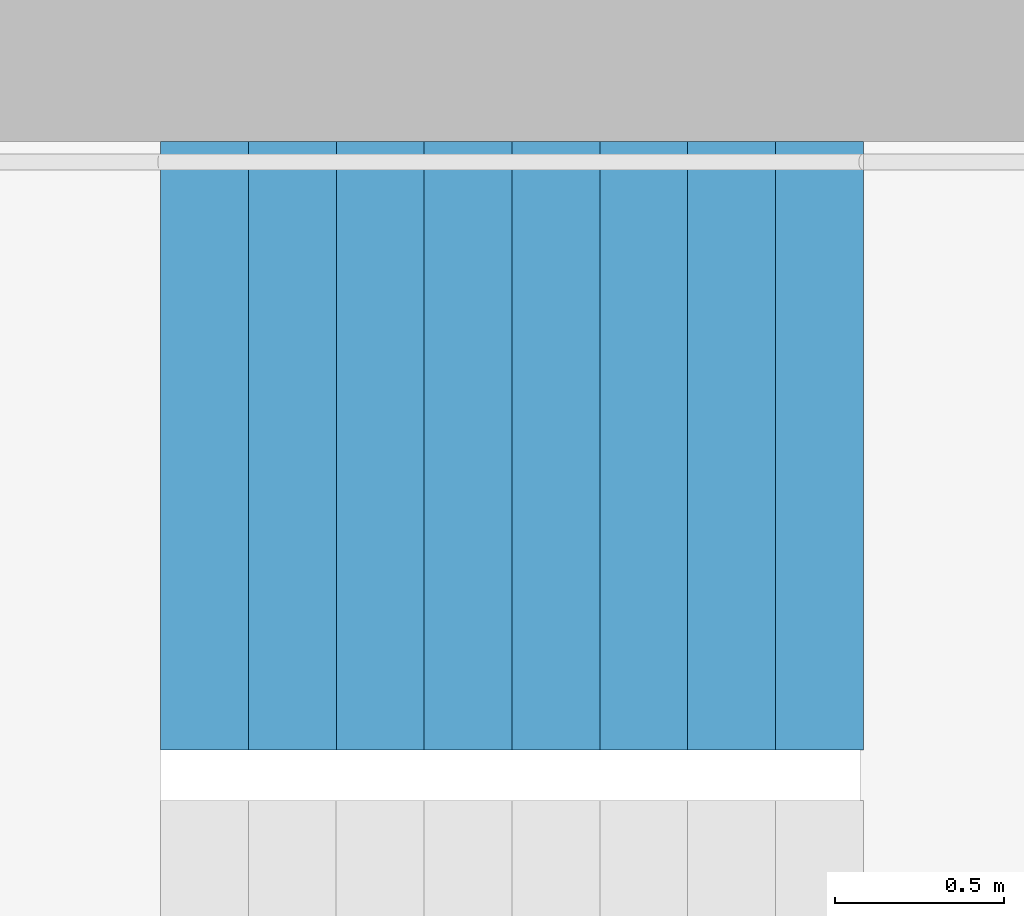
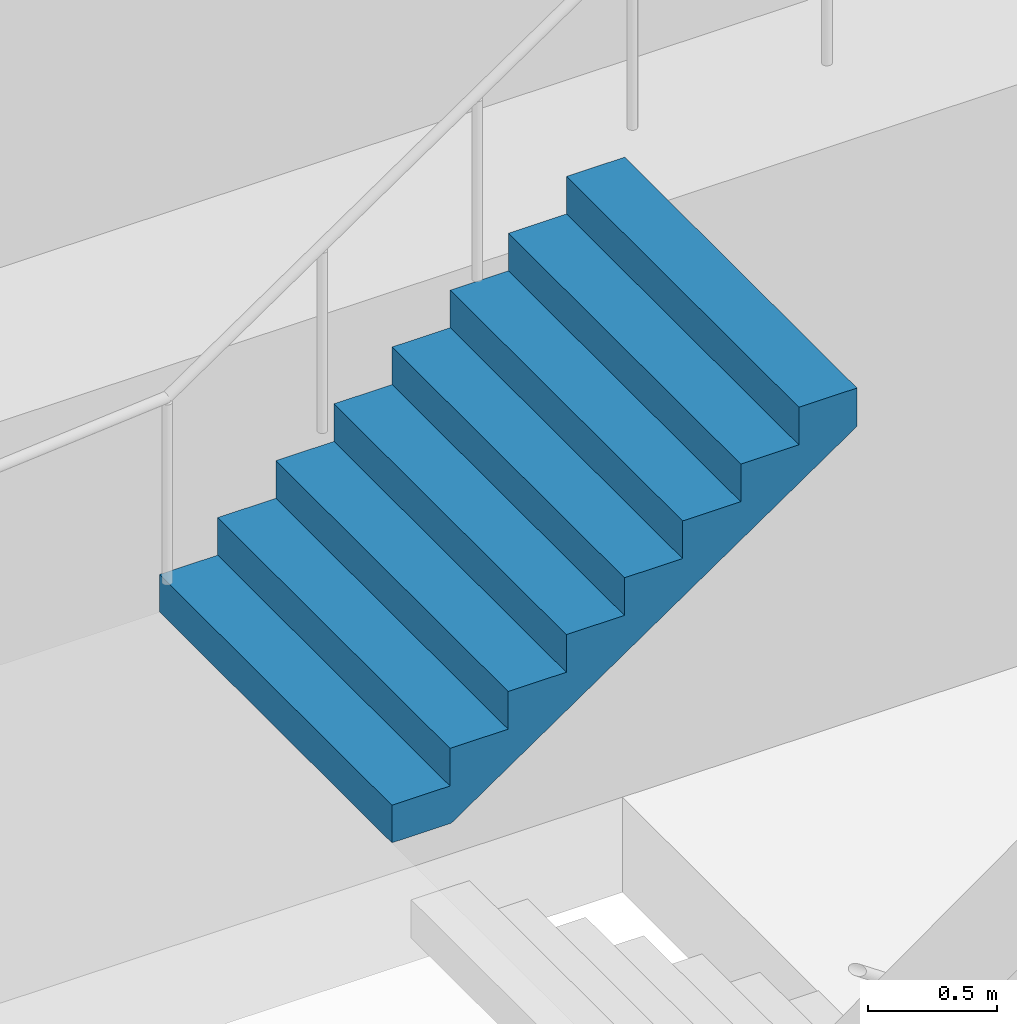
# One storey, part 25 of 26: 1 stair flight, 1 element without a shape of its own.
"""IFC4 building model written with IfcOpenShell, lengths in metres."""

import ifcopenshell
import ifcopenshell.guid

model = None  # the IFC model being written
_history = None  # IfcOwnerHistory: only IFC2X3 demands one
_inside = {}  # id of a spatial element -> (the spatial element, [elements in it])
_under = {}  # id of a project, library or spatial element -> (it, [spatial elements below it])
_declared = {}  # id of a project -> (the project, [libraries it declares])
_typed = {}  # id of a type object -> (the type object, [elements of that type])
_made_of = {}  # id of a material, layer set ... -> (it, [elements and type objects made of it])


def new_model(schema):
    """Start an empty IFC model of exactly this schema.

    Asked for "IFC4X3", IfcOpenShell would pick the latest addendum, in which some entities
    have other attributes; the version numbers below select the first issue.
    IFC2X3 requires an IfcOwnerHistory on every rooted entity: one is made here for all.
    """
    global model, _history
    if schema == "IFC4X3":
        model = ifcopenshell.file(schema_version=(4, 3, 0, 0))
    else:
        model = ifcopenshell.file(schema=schema)
    _inside.clear()
    _under.clear()
    _declared.clear()
    _typed.clear()
    _made_of.clear()
    _history = None
    if model.schema == "IFC2X3":
        org = make("IfcOrganization", Name="unknown")
        user = make(
            "IfcPersonAndOrganization",
            ThePerson=make("IfcPerson", FamilyName="unknown"),
            TheOrganization=org,
        )
        app = make(
            "IfcApplication",
            ApplicationDeveloper=org,
            Version="unknown",
            ApplicationFullName="unknown",
            ApplicationIdentifier="unknown",
        )
        _history = make(
            "IfcOwnerHistory",
            OwningUser=user,
            OwningApplication=app,
            ChangeAction="ADDED",
            CreationDate=0,
        )
    return model


def make(cls, **values):
    """One entity of the class cls with the attributes given. An attribute that is None is left unset."""
    return model.create_entity(
        cls, **{name: value for name, value in values.items() if value is not None}
    )


def rooted(cls, **values):
    """An entity with a GlobalId (a new one), such as an element, a storey or a relation."""
    return make(cls, GlobalId=ifcopenshell.guid.new(), OwnerHistory=_history, **values)


def si_unit(unit_type, name, prefix=None):
    """IfcSIUnit, for example si_unit("LENGTHUNIT", "METRE", prefix="MILLI")."""
    return make("IfcSIUnit", UnitType=unit_type, Prefix=prefix, Name=name)


def assignment(units):
    """IfcUnitAssignment: the units of a project."""
    return None if units is None else make("IfcUnitAssignment", Units=units)


def point(xyz):
    """IfcCartesianPoint."""
    return None if xyz is None else make("IfcCartesianPoint", Coordinates=xyz)


def direction(xyz):
    """IfcDirection."""
    return None if xyz is None else make("IfcDirection", DirectionRatios=xyz)


def frame(location, z_axis=None, x_axis=None):
    """IfcAxis2Placement3D, a coordinate frame: its origin and axes. An axis left out is left unset."""
    return make(
        "IfcAxis2Placement3D",
        Location=point(location),
        Axis=direction(z_axis),
        RefDirection=direction(x_axis),
    )


def origin():
    """The frame at (0, 0, 0) with its axes left unset."""
    return frame((0.0, 0.0, 0.0))


def place(relative_to, where):
    """IfcLocalPlacement: puts the frame where relative to a parent placement (None: the world)."""
    return make(
        "IfcLocalPlacement", PlacementRelTo=relative_to, RelativePlacement=where
    )


def context(
    kind, dimensions, precision=None, world=None, true_north=None, identifier=None
):
    """IfcGeometricRepresentationContext, for example the 3D "Model" context."""
    return make(
        "IfcGeometricRepresentationContext",
        ContextIdentifier=identifier,
        ContextType=kind,
        CoordinateSpaceDimension=dimensions,
        Precision=precision,
        WorldCoordinateSystem=world,
        TrueNorth=true_north,
    )


def subcontext(parent, identifier, kind, view, scale=None):
    """IfcGeometricRepresentationSubContext, for example "Body" below "Model"."""
    return make(
        "IfcGeometricRepresentationSubContext",
        ContextIdentifier=identifier,
        ContextType=kind,
        ParentContext=parent,
        TargetScale=scale,
        TargetView=view,
    )


def project(units=None, contexts=None):
    """IfcProject with its units and contexts."""
    return rooted(
        "IfcProject",
        Name="project",
        RepresentationContexts=contexts,
        UnitsInContext=assignment(units),
    )


def spatial(cls, under=None, at=None, **own):
    """A site, building, storey or space (cls), placed at a placement, below another one or the project."""
    s = rooted(cls, ObjectPlacement=at, **own)
    if under is not None:
        _under.setdefault(under.id(), (under, []))[1].append(s)
    return s


def point_list(points):
    """IfcCartesianPointList2D or 3D."""
    cls = (
        "IfcCartesianPointList2D" if len(points[0]) == 2 else "IfcCartesianPointList3D"
    )
    return make(cls, CoordList=points)


def triangles(points, corners, closed=None, point_numbers=None):
    """IfcTriangulatedFaceSet: each triangle names its three corners, points numbered from 1."""
    return make(
        "IfcTriangulatedFaceSet",
        Coordinates=point_list(points),
        Closed=closed,
        CoordIndex=corners,
        PnIndex=point_numbers,
    )


def shape(context_of_items, identifier, shape_type, items):
    """IfcShapeRepresentation: the items that make up one representation, for example the "Body"."""
    return make(
        "IfcShapeRepresentation",
        ContextOfItems=context_of_items,
        RepresentationIdentifier=identifier,
        RepresentationType=shape_type,
        Items=items,
    )


def material(Name=None, Category=None):
    """IfcMaterial."""
    return make("IfcMaterial", Name=Name, Category=Category)


def made_of(thing, what):
    """Note that an element or type object is made of a material, layer set ...; save() writes the relation."""
    if what is not None:
        _made_of.setdefault(what.id(), (what, []))[1].append(thing)
    return thing


def type_object(cls, material=None, **own):
    """A type object (cls), such as IfcWallType, which elements share."""
    return made_of(rooted(cls, **own), material)


def element(
    cls,
    number,
    at=None,
    inside=None,
    cuts=None,
    type_object=None,
    material=None,
    context=None,
    identifier="Body",
    shape_type=None,
    held_by="IfcProductDefinitionShape",
    body=None,
    shapes=None,
    **own,
):
    """One element of the class cls, such as IfcWall. Its Tag is "e" and its number.

    at: its placement. inside: the storey or other place that contains it. cuts: it is an
    opening in that element (IfcRelVoidsElement). A single representation is given by context,
    identifier, shape_type and body (its items); several are given by shapes. held_by: the class
    of the entity that holds the representations. save() writes the other relations.
    """
    e = rooted(cls, Tag="e%d" % number, ObjectPlacement=at, **own)
    if body is not None:
        shapes = [shape(context, identifier, shape_type, body)]
    if shapes is not None:
        e.Representation = make(held_by, Representations=shapes)
    if inside is not None:
        _inside.setdefault(inside.id(), (inside, []))[1].append(e)
    if cuts is not None:
        rooted(
            "IfcRelVoidsElement", RelatingBuildingElement=cuts, RelatedOpeningElement=e
        )
    if type_object is not None:
        _typed.setdefault(type_object.id(), (type_object, []))[1].append(e)
    return made_of(e, material)


def aggregate(whole, parts):
    """IfcRelAggregates: a whole, such as a stair, and the parts it consists of."""
    return rooted("IfcRelAggregates", RelatingObject=whole, RelatedObjects=parts)


def save(model, path):
    """Write the relations noted so far, then the file.

    IfcRelAggregates (storeys below a building ...), IfcRelContainedInSpatialStructure (elements
    in a storey), IfcRelDefinesByType, IfcRelAssociatesMaterial and IfcRelDeclares: one each for
    every whole, place, type object, material and project.
    """
    for whole, parts in _under.values():
        aggregate(whole, parts)
    for where, things in _inside.values():
        rooted(
            "IfcRelContainedInSpatialStructure",
            RelatedElements=things,
            RelatingStructure=where,
        )
    for kind, things in _typed.values():
        rooted("IfcRelDefinesByType", RelatedObjects=things, RelatingType=kind)
    for what, things in _made_of.values():
        rooted("IfcRelAssociatesMaterial", RelatedObjects=things, RelatingMaterial=what)
    for by, libraries in _declared.values():
        rooted("IfcRelDeclares", RelatingContext=by, RelatedDefinitions=libraries)
    model.write(path)


model = new_model("IFC4")

# Units and contexts
model_context = context("Model", 3, precision=1e-05, world=origin(), true_north=direction((0.0, 1.0)))
body_context = subcontext(model_context, "Body", "Model", "MODEL_VIEW")
ifc_project = project(units=[si_unit("LENGTHUNIT", "METRE"), si_unit("AREAUNIT", "SQUARE_METRE"), si_unit("VOLUMEUNIT", "CUBIC_METRE"), si_unit("PLANEANGLEUNIT", "RADIAN"), si_unit("MASSUNIT", "GRAM", prefix="KILO")], contexts=[model_context])

# Site, building, storey
site_placement = place(None, origin())
site = spatial("IfcSite", under=ifc_project, at=site_placement, CompositionType="ELEMENT")
building_placement = place(site_placement, origin())
building = spatial("IfcBuilding", under=site, at=building_placement, Name="Hakoniwa Tower and Hamabe Station Hall", CompositionType="ELEMENT")
storey_placement = place(building_placement, frame((0.0, 0.0, 209.0)))
storey = spatial("IfcBuildingStorey", under=building, at=storey_placement, Name="L59", CompositionType="ELEMENT", Elevation=209.0)

# Stair, stair flight
ifc_material_1 = material(Name="Concrete C40", Category="concrete")
stair_type = type_object("IfcStairType", Name="ESCAPE STAIR 1800", PredefinedType="HALF_TURN_STAIR", material=ifc_material_1)
stair_placement = place(storey_placement, origin())
stair = element("IfcStair", 1, at=stair_placement, inside=storey, type_object=stair_type, Name="Escape stair ST-3 L59", PredefinedType="HALF_TURN_STAIR")
ifc_material_2 = material(Name="Concrete C40", Category="concrete")
stair_flight_type = type_object("IfcStairFlightType", Name="STAIR FLIGHT 1800", PredefinedType="STRAIGHT", material=ifc_material_2)
stair_flight_placement = place(storey_placement, frame((22.320068359375, 6.60009765625, 1.60009765625), z_axis=(0.0, 0.0, 1.0), x_axis=(1.0, 0.0, 0.0)))
stair_flight = element("IfcStairFlight", 2, at=stair_flight_placement, type_object=stair_flight_type, Name="ST-3 flight 2", NumberOfRisers=9, NumberOfTreads=8, PredefinedType="STRAIGHT", RiserHeight=0.177777778, TreadLength=0.26, context=body_context, shape_type="Tessellation", body=[
    triangles([(0.0, 0.89990234375, 0.0), (0.260009765625, 0.89990234375, 0.0), (0.265625, 0.89990234375, 0.0), (0.52001953125, 0.89990234375, 0.174072265625), (0.780029296875, 0.89990234375, 0.351806640625), (1.0400390625, 0.89990234375, 0.529541015625), (1.300048828125, 0.89990234375, 0.707275390625), (1.56005859375, 0.89990234375, 0.885009765625), (1.820068359375, 0.89990234375, 1.062744140625), (2.080078125, 0.89990234375, 1.24072265625), (2.080078125, 0.89990234375, 1.422119140625), (1.820068359375, 0.89990234375, 1.422119140625), (1.820068359375, 0.89990234375, 1.244384765625), (1.56005859375, 0.89990234375, 1.244384765625), (1.56005859375, 0.89990234375, 1.066650390625), (1.300048828125, 0.89990234375, 1.066650390625), (1.300048828125, 0.89990234375, 0.888916015625), (1.0400390625, 0.89990234375, 0.888916015625), (1.0400390625, 0.89990234375, 0.711181640625), (0.780029296875, 0.89990234375, 0.711181640625), (0.780029296875, 0.89990234375, 0.533447265625), (0.52001953125, 0.89990234375, 0.533447265625), (0.52001953125, 0.89990234375, 0.35546875), (0.265625, 0.89990234375, 0.35546875), (0.260009765625, 0.89990234375, 0.35546875), (0.260009765625, 0.89990234375, 0.177734375), (0.0, 0.89990234375, 0.177734375), (0.0, 0.06005859375, 0.0), (0.260009765625, 0.06005859375, 0.0), (0.265625, 0.06005859375, 0.0), (0.52001953125, 0.06005859375, 0.174072265625), (0.780029296875, 0.06005859375, 0.351806640625), (1.0400390625, 0.06005859375, 0.529541015625), (1.300048828125, 0.06005859375, 0.707275390625), (1.56005859375, 0.06005859375, 0.885009765625), (1.820068359375, 0.06005859375, 1.062744140625), (2.080078125, 0.06005859375, 1.24072265625), (2.080078125, 0.06005859375, 1.422119140625), (1.820068359375, 0.06005859375, 1.422119140625), (1.820068359375, 0.06005859375, 1.244384765625), (1.56005859375, 0.06005859375, 1.244384765625), (1.56005859375, 0.06005859375, 1.066650390625), (1.300048828125, 0.06005859375, 1.066650390625), (1.300048828125, 0.06005859375, 0.888916015625), (1.0400390625, 0.06005859375, 0.888916015625), (1.0400390625, 0.06005859375, 0.711181640625), (0.780029296875, 0.06005859375, 0.711181640625), (0.780029296875, 0.06005859375, 0.533447265625), (0.52001953125, 0.06005859375, 0.533447265625), (0.52001953125, 0.06005859375, 0.35546875), (0.265625, 0.06005859375, 0.35546875), (0.260009765625, 0.06005859375, 0.35546875), (0.260009765625, 0.06005859375, 0.177734375), (0.0, 0.06005859375, 0.177734375), (0.0, 0.04296875, 0.0), (0.260009765625, 0.04296875, 0.0), (0.265625, 0.04296875, 0.0), (0.52001953125, 0.04296875, 0.174072265625), (0.780029296875, 0.04296875, 0.351806640625), (1.0400390625, 0.04296875, 0.529541015625), (1.300048828125, 0.04296875, 0.707275390625), (1.56005859375, 0.04296875, 0.885009765625), (1.820068359375, 0.04296875, 1.062744140625), (2.080078125, 0.04296875, 1.24072265625), (2.080078125, 0.04296875, 1.422119140625), (1.820068359375, 0.04296875, 1.422119140625), (1.820068359375, 0.04296875, 1.244384765625), (1.56005859375, 0.04296875, 1.244384765625), (1.56005859375, 0.04296875, 1.066650390625), (1.300048828125, 0.04296875, 1.066650390625), (1.300048828125, 0.04296875, 0.888916015625), (1.0400390625, 0.04296875, 0.888916015625), (1.0400390625, 0.04296875, 0.711181640625), (0.780029296875, 0.04296875, 0.711181640625), (0.780029296875, 0.04296875, 0.533447265625), (0.52001953125, 0.04296875, 0.533447265625), (0.52001953125, 0.04296875, 0.35546875), (0.265625, 0.04296875, 0.35546875), (0.260009765625, 0.04296875, 0.35546875), (0.260009765625, 0.04296875, 0.177734375), (0.0, 0.04296875, 0.177734375), (0.0, 0.025634765625, 0.0), (0.260009765625, 0.025634765625, 0.0), (0.265625, 0.025634765625, 0.0), (0.52001953125, 0.025634765625, 0.174072265625), (0.780029296875, 0.025634765625, 0.351806640625), (1.0400390625, 0.025634765625, 0.529541015625), (1.300048828125, 0.025634765625, 0.707275390625), (1.56005859375, 0.025634765625, 0.885009765625), (1.820068359375, 0.025634765625, 1.062744140625), (2.080078125, 0.025634765625, 1.24072265625), (2.080078125, 0.025634765625, 1.422119140625), (1.820068359375, 0.025634765625, 1.422119140625), (1.820068359375, 0.025634765625, 1.244384765625), (1.56005859375, 0.025634765625, 1.244384765625), (1.56005859375, 0.025634765625, 1.066650390625), (1.300048828125, 0.025634765625, 1.066650390625), (1.300048828125, 0.025634765625, 0.888916015625), (1.0400390625, 0.025634765625, 0.888916015625), (1.0400390625, 0.025634765625, 0.711181640625), (0.780029296875, 0.025634765625, 0.711181640625), (0.780029296875, 0.025634765625, 0.533447265625), (0.52001953125, 0.025634765625, 0.533447265625), (0.52001953125, 0.025634765625, 0.35546875), (0.265625, 0.025634765625, 0.35546875), (0.260009765625, 0.025634765625, 0.35546875), (0.260009765625, 0.025634765625, 0.177734375), (0.0, 0.025634765625, 0.177734375), (0.0, 0.008544921875, 0.0), (0.260009765625, 0.008544921875, 0.0), (0.265625, 0.008544921875, 0.0), (0.52001953125, 0.008544921875, 0.174072265625), (0.780029296875, 0.008544921875, 0.351806640625), (1.0400390625, 0.008544921875, 0.529541015625), (1.300048828125, 0.008544921875, 0.707275390625), (1.56005859375, 0.008544921875, 0.885009765625), (1.820068359375, 0.008544921875, 1.062744140625), (2.080078125, 0.008544921875, 1.24072265625), (2.080078125, 0.008544921875, 1.422119140625), (1.820068359375, 0.008544921875, 1.422119140625), (1.820068359375, 0.008544921875, 1.244384765625), (1.56005859375, 0.008544921875, 1.244384765625), (1.56005859375, 0.008544921875, 1.066650390625), (1.300048828125, 0.008544921875, 1.066650390625), (1.300048828125, 0.008544921875, 0.888916015625), (1.0400390625, 0.008544921875, 0.888916015625), (1.0400390625, 0.008544921875, 0.711181640625), (0.780029296875, 0.008544921875, 0.711181640625), (0.780029296875, 0.008544921875, 0.533447265625), (0.52001953125, 0.008544921875, 0.533447265625), (0.52001953125, 0.008544921875, 0.35546875), (0.265625, 0.008544921875, 0.35546875), (0.260009765625, 0.008544921875, 0.35546875), (0.260009765625, 0.008544921875, 0.177734375), (0.0, 0.008544921875, 0.177734375), (0.0, -0.008544921875, 0.0), (0.260009765625, -0.008544921875, 0.0), (0.265625, -0.008544921875, 0.0), (0.52001953125, -0.008544921875, 0.174072265625), (0.780029296875, -0.008544921875, 0.351806640625), (1.0400390625, -0.008544921875, 0.529541015625), (1.300048828125, -0.008544921875, 0.707275390625), (1.56005859375, -0.008544921875, 0.885009765625), (1.820068359375, -0.008544921875, 1.062744140625), (2.080078125, -0.008544921875, 1.24072265625), (2.080078125, -0.008544921875, 1.422119140625), (1.820068359375, -0.008544921875, 1.422119140625), (1.820068359375, -0.008544921875, 1.244384765625), (1.56005859375, -0.008544921875, 1.244384765625), (1.56005859375, -0.008544921875, 1.066650390625), (1.300048828125, -0.008544921875, 1.066650390625), (1.300048828125, -0.008544921875, 0.888916015625), (1.0400390625, -0.008544921875, 0.888916015625), (1.0400390625, -0.008544921875, 0.711181640625), (0.780029296875, -0.008544921875, 0.711181640625), (0.780029296875, -0.008544921875, 0.533447265625), (0.52001953125, -0.008544921875, 0.533447265625), (0.52001953125, -0.008544921875, 0.35546875), (0.265625, -0.008544921875, 0.35546875), (0.260009765625, -0.008544921875, 0.35546875), (0.260009765625, -0.008544921875, 0.177734375), (0.0, -0.008544921875, 0.177734375), (0.0, -0.025634765625, 0.0), (0.260009765625, -0.025634765625, 0.0), (0.265625, -0.025634765625, 0.0), (0.52001953125, -0.025634765625, 0.174072265625), (0.780029296875, -0.025634765625, 0.351806640625), (1.0400390625, -0.025634765625, 0.529541015625), (1.300048828125, -0.025634765625, 0.707275390625), (1.56005859375, -0.025634765625, 0.885009765625), (1.820068359375, -0.025634765625, 1.062744140625), (2.080078125, -0.025634765625, 1.24072265625), (2.080078125, -0.025634765625, 1.422119140625), (1.820068359375, -0.025634765625, 1.422119140625), (1.820068359375, -0.025634765625, 1.244384765625), (1.56005859375, -0.025634765625, 1.244384765625), (1.56005859375, -0.025634765625, 1.066650390625), (1.300048828125, -0.025634765625, 1.066650390625), (1.300048828125, -0.025634765625, 0.888916015625), (1.0400390625, -0.025634765625, 0.888916015625), (1.0400390625, -0.025634765625, 0.711181640625), (0.780029296875, -0.025634765625, 0.711181640625), (0.780029296875, -0.025634765625, 0.533447265625), (0.52001953125, -0.025634765625, 0.533447265625), (0.52001953125, -0.025634765625, 0.35546875), (0.265625, -0.025634765625, 0.35546875), (0.260009765625, -0.025634765625, 0.35546875), (0.260009765625, -0.025634765625, 0.177734375), (0.0, -0.025634765625, 0.177734375), (0.0, -0.04296875, 0.0), (0.260009765625, -0.04296875, 0.0), (0.265625, -0.04296875, 0.0), (0.52001953125, -0.04296875, 0.174072265625), (0.780029296875, -0.04296875, 0.351806640625), (1.0400390625, -0.04296875, 0.529541015625), (1.300048828125, -0.04296875, 0.707275390625), (1.56005859375, -0.04296875, 0.885009765625), (1.820068359375, -0.04296875, 1.062744140625), (2.080078125, -0.04296875, 1.24072265625), (2.080078125, -0.04296875, 1.422119140625), (1.820068359375, -0.04296875, 1.422119140625), (1.820068359375, -0.04296875, 1.244384765625), (1.56005859375, -0.04296875, 1.244384765625), (1.56005859375, -0.04296875, 1.066650390625), (1.300048828125, -0.04296875, 1.066650390625), (1.300048828125, -0.04296875, 0.888916015625), (1.0400390625, -0.04296875, 0.888916015625), (1.0400390625, -0.04296875, 0.711181640625), (0.780029296875, -0.04296875, 0.711181640625), (0.780029296875, -0.04296875, 0.533447265625), (0.52001953125, -0.04296875, 0.533447265625), (0.52001953125, -0.04296875, 0.35546875), (0.265625, -0.04296875, 0.35546875), (0.260009765625, -0.04296875, 0.35546875), (0.260009765625, -0.04296875, 0.177734375), (0.0, -0.04296875, 0.177734375), (0.0, -0.06005859375, 0.0), (0.260009765625, -0.06005859375, 0.0), (0.265625, -0.06005859375, 0.0), (0.52001953125, -0.06005859375, 0.174072265625), (0.780029296875, -0.06005859375, 0.351806640625), (1.0400390625, -0.06005859375, 0.529541015625), (1.300048828125, -0.06005859375, 0.707275390625), (1.56005859375, -0.06005859375, 0.885009765625), (1.820068359375, -0.06005859375, 1.062744140625), (2.080078125, -0.06005859375, 1.24072265625), (2.080078125, -0.06005859375, 1.422119140625), (1.820068359375, -0.06005859375, 1.422119140625), (1.820068359375, -0.06005859375, 1.244384765625), (1.56005859375, -0.06005859375, 1.244384765625), (1.56005859375, -0.06005859375, 1.066650390625), (1.300048828125, -0.06005859375, 1.066650390625), (1.300048828125, -0.06005859375, 0.888916015625), (1.0400390625, -0.06005859375, 0.888916015625), (1.0400390625, -0.06005859375, 0.711181640625), (0.780029296875, -0.06005859375, 0.711181640625), (0.780029296875, -0.06005859375, 0.533447265625), (0.52001953125, -0.06005859375, 0.533447265625), (0.52001953125, -0.06005859375, 0.35546875), (0.265625, -0.06005859375, 0.35546875), (0.260009765625, -0.06005859375, 0.35546875), (0.260009765625, -0.06005859375, 0.177734375), (0.0, -0.06005859375, 0.177734375), (0.0, -0.89990234375, 0.0), (0.260009765625, -0.89990234375, 0.0), (0.265625, -0.89990234375, 0.0), (0.52001953125, -0.89990234375, 0.174072265625), (0.780029296875, -0.89990234375, 0.351806640625), (1.0400390625, -0.89990234375, 0.529541015625), (1.300048828125, -0.89990234375, 0.707275390625), (1.56005859375, -0.89990234375, 0.885009765625), (1.820068359375, -0.89990234375, 1.062744140625), (2.080078125, -0.89990234375, 1.24072265625), (2.080078125, -0.89990234375, 1.422119140625), (1.820068359375, -0.89990234375, 1.422119140625), (1.820068359375, -0.89990234375, 1.244384765625), (1.56005859375, -0.89990234375, 1.244384765625), (1.56005859375, -0.89990234375, 1.066650390625), (1.300048828125, -0.89990234375, 1.066650390625), (1.300048828125, -0.89990234375, 0.888916015625), (1.0400390625, -0.89990234375, 0.888916015625), (1.0400390625, -0.89990234375, 0.711181640625), (0.780029296875, -0.89990234375, 0.711181640625), (0.780029296875, -0.89990234375, 0.533447265625), (0.52001953125, -0.89990234375, 0.533447265625), (0.52001953125, -0.89990234375, 0.35546875), (0.265625, -0.89990234375, 0.35546875), (0.260009765625, -0.89990234375, 0.35546875), (0.260009765625, -0.89990234375, 0.177734375), (0.0, -0.89990234375, 0.177734375)], [[2, 27, 26], [245, 269, 270], [2, 1, 27], [245, 270, 244], [3, 25, 24], [246, 267, 268], [3, 26, 25], [246, 268, 269], [3, 2, 26], [246, 269, 245], [4, 24, 23], [247, 266, 267], [4, 3, 24], [247, 267, 246], [5, 22, 21], [248, 264, 265], [5, 23, 22], [248, 265, 266], [5, 4, 23], [248, 266, 247], [6, 20, 19], [249, 262, 263], [6, 21, 20], [249, 263, 264], [6, 5, 21], [249, 264, 248], [7, 18, 17], [250, 260, 261], [7, 19, 18], [250, 261, 262], [7, 6, 19], [250, 262, 249], [8, 16, 15], [251, 258, 259], [8, 17, 16], [251, 259, 260], [8, 7, 17], [251, 260, 250], [9, 14, 13], [252, 256, 257], [9, 15, 14], [252, 257, 258], [9, 8, 15], [252, 258, 251], [10, 12, 11], [253, 254, 255], [10, 13, 12], [253, 255, 256], [10, 9, 13], [253, 256, 252], [1, 2, 29], [1, 29, 28], [28, 29, 56], [28, 56, 55], [55, 56, 83], [55, 83, 82], [82, 83, 110], [82, 110, 109], [109, 110, 137], [109, 137, 136], [136, 137, 164], [136, 164, 163], [163, 164, 191], [163, 191, 190], [190, 191, 218], [190, 218, 217], [217, 218, 245], [217, 245, 244], [2, 3, 30], [2, 30, 29], [29, 30, 57], [29, 57, 56], [56, 57, 84], [56, 84, 83], [83, 84, 111], [83, 111, 110], [110, 111, 138], [110, 138, 137], [137, 138, 165], [137, 165, 164], [164, 165, 192], [164, 192, 191], [191, 192, 219], [191, 219, 218], [218, 219, 246], [218, 246, 245], [3, 4, 31], [3, 31, 30], [30, 31, 58], [30, 58, 57], [57, 58, 85], [57, 85, 84], [84, 85, 112], [84, 112, 111], [111, 112, 139], [111, 139, 138], [138, 139, 166], [138, 166, 165], [165, 166, 193], [165, 193, 192], [192, 193, 220], [192, 220, 219], [219, 220, 247], [219, 247, 246], [4, 5, 32], [4, 32, 31], [31, 32, 59], [31, 59, 58], [58, 59, 86], [58, 86, 85], [85, 86, 113], [85, 113, 112], [112, 113, 140], [112, 140, 139], [139, 140, 167], [139, 167, 166], [166, 167, 194], [166, 194, 193], [193, 194, 221], [193, 221, 220], [220, 221, 248], [220, 248, 247], [5, 6, 33], [5, 33, 32], [32, 33, 60], [32, 60, 59], [59, 60, 87], [59, 87, 86], [86, 87, 114], [86, 114, 113], [113, 114, 141], [113, 141, 140], [140, 141, 168], [140, 168, 167], [167, 168, 195], [167, 195, 194], [194, 195, 222], [194, 222, 221], [221, 222, 249], [221, 249, 248], [6, 7, 34], [6, 34, 33], [33, 34, 61], [33, 61, 60], [60, 61, 88], [60, 88, 87], [87, 88, 115], [87, 115, 114], [114, 115, 142], [114, 142, 141], [141, 142, 169], [141, 169, 168], [168, 169, 196], [168, 196, 195], [195, 196, 223], [195, 223, 222], [222, 223, 250], [222, 250, 249], [7, 8, 35], [7, 35, 34], [34, 35, 62], [34, 62, 61], [61, 62, 89], [61, 89, 88], [88, 89, 116], [88, 116, 115], [115, 116, 143], [115, 143, 142], [142, 143, 170], [142, 170, 169], [169, 170, 197], [169, 197, 196], [196, 197, 224], [196, 224, 223], [223, 224, 251], [223, 251, 250], [8, 9, 36], [8, 36, 35], [35, 36, 63], [35, 63, 62], [62, 63, 90], [62, 90, 89], [89, 90, 117], [89, 117, 116], [116, 117, 144], [116, 144, 143], [143, 144, 171], [143, 171, 170], [170, 171, 198], [170, 198, 197], [197, 198, 225], [197, 225, 224], [224, 225, 252], [224, 252, 251], [9, 10, 37], [9, 37, 36], [36, 37, 64], [36, 64, 63], [63, 64, 91], [63, 91, 90], [90, 91, 118], [90, 118, 117], [117, 118, 145], [117, 145, 144], [144, 145, 172], [144, 172, 171], [171, 172, 199], [171, 199, 198], [198, 199, 226], [198, 226, 225], [225, 226, 253], [225, 253, 252], [10, 11, 38], [10, 38, 37], [37, 38, 65], [37, 65, 64], [64, 65, 92], [64, 92, 91], [91, 92, 119], [91, 119, 118], [118, 119, 146], [118, 146, 145], [145, 146, 173], [145, 173, 172], [172, 173, 200], [172, 200, 199], [199, 200, 227], [199, 227, 226], [226, 227, 254], [226, 254, 253], [11, 12, 39], [11, 39, 38], [38, 39, 66], [38, 66, 65], [65, 66, 93], [65, 93, 92], [92, 93, 120], [92, 120, 119], [119, 120, 147], [119, 147, 146], [146, 147, 174], [146, 174, 173], [173, 174, 201], [173, 201, 200], [200, 201, 228], [200, 228, 227], [227, 228, 255], [227, 255, 254], [12, 13, 40], [12, 40, 39], [39, 40, 67], [39, 67, 66], [66, 67, 94], [66, 94, 93], [93, 94, 121], [93, 121, 120], [120, 121, 148], [120, 148, 147], [147, 148, 175], [147, 175, 174], [174, 175, 202], [174, 202, 201], [201, 202, 229], [201, 229, 228], [228, 229, 256], [228, 256, 255], [13, 14, 41], [13, 41, 40], [40, 41, 68], [40, 68, 67], [67, 68, 95], [67, 95, 94], [94, 95, 122], [94, 122, 121], [121, 122, 149], [121, 149, 148], [148, 149, 176], [148, 176, 175], [175, 176, 203], [175, 203, 202], [202, 203, 230], [202, 230, 229], [229, 230, 257], [229, 257, 256], [14, 15, 42], [14, 42, 41], [41, 42, 69], [41, 69, 68], [68, 69, 96], [68, 96, 95], [95, 96, 123], [95, 123, 122], [122, 123, 150], [122, 150, 149], [149, 150, 177], [149, 177, 176], [176, 177, 204], [176, 204, 203], [203, 204, 231], [203, 231, 230], [230, 231, 258], [230, 258, 257], [15, 16, 43], [15, 43, 42], [42, 43, 70], [42, 70, 69], [69, 70, 97], [69, 97, 96], [96, 97, 124], [96, 124, 123], [123, 124, 151], [123, 151, 150], [150, 151, 178], [150, 178, 177], [177, 178, 205], [177, 205, 204], [204, 205, 232], [204, 232, 231], [231, 232, 259], [231, 259, 258], [16, 17, 44], [16, 44, 43], [43, 44, 71], [43, 71, 70], [70, 71, 98], [70, 98, 97], [97, 98, 125], [97, 125, 124], [124, 125, 152], [124, 152, 151], [151, 152, 179], [151, 179, 178], [178, 179, 206], [178, 206, 205], [205, 206, 233], [205, 233, 232], [232, 233, 260], [232, 260, 259], [17, 18, 45], [17, 45, 44], [44, 45, 72], [44, 72, 71], [71, 72, 99], [71, 99, 98], [98, 99, 126], [98, 126, 125], [125, 126, 153], [125, 153, 152], [152, 153, 180], [152, 180, 179], [179, 180, 207], [179, 207, 206], [206, 207, 234], [206, 234, 233], [233, 234, 261], [233, 261, 260], [18, 19, 46], [18, 46, 45], [45, 46, 73], [45, 73, 72], [72, 73, 100], [72, 100, 99], [99, 100, 127], [99, 127, 126], [126, 127, 154], [126, 154, 153], [153, 154, 181], [153, 181, 180], [180, 181, 208], [180, 208, 207], [207, 208, 235], [207, 235, 234], [234, 235, 262], [234, 262, 261], [19, 20, 47], [19, 47, 46], [46, 47, 74], [46, 74, 73], [73, 74, 101], [73, 101, 100], [100, 101, 128], [100, 128, 127], [127, 128, 155], [127, 155, 154], [154, 155, 182], [154, 182, 181], [181, 182, 209], [181, 209, 208], [208, 209, 236], [208, 236, 235], [235, 236, 263], [235, 263, 262], [20, 21, 48], [20, 48, 47], [47, 48, 75], [47, 75, 74], [74, 75, 102], [74, 102, 101], [101, 102, 129], [101, 129, 128], [128, 129, 156], [128, 156, 155], [155, 156, 183], [155, 183, 182], [182, 183, 210], [182, 210, 209], [209, 210, 237], [209, 237, 236], [236, 237, 264], [236, 264, 263], [21, 22, 49], [21, 49, 48], [48, 49, 76], [48, 76, 75], [75, 76, 103], [75, 103, 102], [102, 103, 130], [102, 130, 129], [129, 130, 157], [129, 157, 156], [156, 157, 184], [156, 184, 183], [183, 184, 211], [183, 211, 210], [210, 211, 238], [210, 238, 237], [237, 238, 265], [237, 265, 264], [22, 23, 50], [22, 50, 49], [49, 50, 77], [49, 77, 76], [76, 77, 104], [76, 104, 103], [103, 104, 131], [103, 131, 130], [130, 131, 158], [130, 158, 157], [157, 158, 185], [157, 185, 184], [184, 185, 212], [184, 212, 211], [211, 212, 239], [211, 239, 238], [238, 239, 266], [238, 266, 265], [23, 24, 51], [23, 51, 50], [50, 51, 78], [50, 78, 77], [77, 78, 105], [77, 105, 104], [104, 105, 132], [104, 132, 131], [131, 132, 159], [131, 159, 158], [158, 159, 186], [158, 186, 185], [185, 186, 213], [185, 213, 212], [212, 213, 240], [212, 240, 239], [239, 240, 267], [239, 267, 266], [24, 25, 52], [24, 52, 51], [51, 52, 79], [51, 79, 78], [78, 79, 106], [78, 106, 105], [105, 106, 133], [105, 133, 132], [132, 133, 160], [132, 160, 159], [159, 160, 187], [159, 187, 186], [186, 187, 214], [186, 214, 213], [213, 214, 241], [213, 241, 240], [240, 241, 268], [240, 268, 267], [25, 26, 53], [25, 53, 52], [52, 53, 80], [52, 80, 79], [79, 80, 107], [79, 107, 106], [106, 107, 134], [106, 134, 133], [133, 134, 161], [133, 161, 160], [160, 161, 188], [160, 188, 187], [187, 188, 215], [187, 215, 214], [214, 215, 242], [214, 242, 241], [241, 242, 269], [241, 269, 268], [26, 27, 54], [26, 54, 53], [53, 54, 81], [53, 81, 80], [80, 81, 108], [80, 108, 107], [107, 108, 135], [107, 135, 134], [134, 135, 162], [134, 162, 161], [161, 162, 189], [161, 189, 188], [188, 189, 216], [188, 216, 215], [215, 216, 243], [215, 243, 242], [242, 243, 270], [242, 270, 269], [27, 1, 28], [27, 28, 54], [54, 28, 55], [54, 55, 81], [81, 55, 82], [81, 82, 108], [108, 82, 109], [108, 109, 135], [135, 109, 136], [135, 136, 162], [162, 136, 163], [162, 163, 189], [189, 163, 190], [189, 190, 216], [216, 190, 217], [216, 217, 243], [243, 217, 244], [243, 244, 270]], closed=True),
])
aggregate(stair, [stair_flight])

save(model, "model.ifc")
